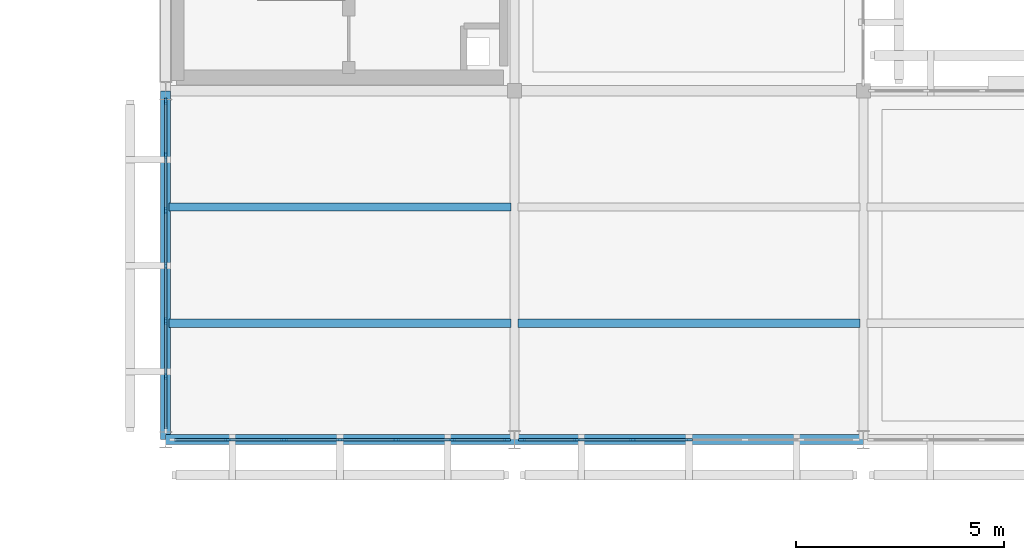
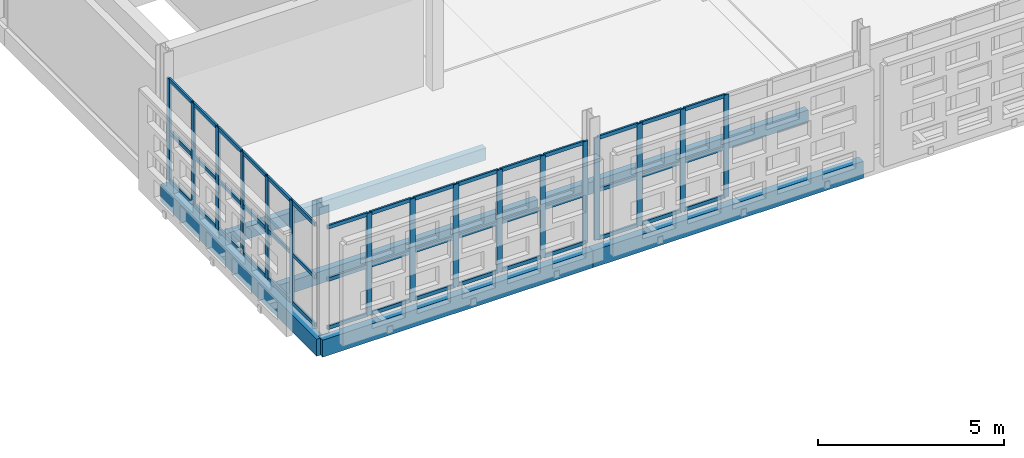
# One storey, part 43 of 140: 61 members, 6 beams, 3 elements without a shape of their own.
"""IFC4 building model written with IfcOpenShell, lengths in metres."""

import ifcopenshell
import ifcopenshell.guid

model = None  # the IFC model being written
_history = None  # IfcOwnerHistory: only IFC2X3 demands one
_inside = {}  # id of a spatial element -> (the spatial element, [elements in it])
_under = {}  # id of a project, library or spatial element -> (it, [spatial elements below it])
_declared = {}  # id of a project -> (the project, [libraries it declares])
_typed = {}  # id of a type object -> (the type object, [elements of that type])
_made_of = {}  # id of a material, layer set ... -> (it, [elements and type objects made of it])


def new_model(schema):
    """Start an empty IFC model of exactly this schema.

    Asked for "IFC4X3", IfcOpenShell would pick the latest addendum, in which some entities
    have other attributes; the version numbers below select the first issue.
    IFC2X3 requires an IfcOwnerHistory on every rooted entity: one is made here for all.
    """
    global model, _history
    if schema == "IFC4X3":
        model = ifcopenshell.file(schema_version=(4, 3, 0, 0))
    else:
        model = ifcopenshell.file(schema=schema)
    _inside.clear()
    _under.clear()
    _declared.clear()
    _typed.clear()
    _made_of.clear()
    _history = None
    if model.schema == "IFC2X3":
        org = make("IfcOrganization", Name="unknown")
        user = make(
            "IfcPersonAndOrganization",
            ThePerson=make("IfcPerson", FamilyName="unknown"),
            TheOrganization=org,
        )
        app = make(
            "IfcApplication",
            ApplicationDeveloper=org,
            Version="unknown",
            ApplicationFullName="unknown",
            ApplicationIdentifier="unknown",
        )
        _history = make(
            "IfcOwnerHistory",
            OwningUser=user,
            OwningApplication=app,
            ChangeAction="ADDED",
            CreationDate=0,
        )
    return model


def make(cls, **values):
    """One entity of the class cls with the attributes given. An attribute that is None is left unset."""
    return model.create_entity(
        cls, **{name: value for name, value in values.items() if value is not None}
    )


def rooted(cls, **values):
    """An entity with a GlobalId (a new one), such as an element, a storey or a relation."""
    return make(cls, GlobalId=ifcopenshell.guid.new(), OwnerHistory=_history, **values)


def si_unit(unit_type, name, prefix=None):
    """IfcSIUnit, for example si_unit("LENGTHUNIT", "METRE", prefix="MILLI")."""
    return make("IfcSIUnit", UnitType=unit_type, Prefix=prefix, Name=name)


def assignment(units):
    """IfcUnitAssignment: the units of a project."""
    return None if units is None else make("IfcUnitAssignment", Units=units)


def point(xyz):
    """IfcCartesianPoint."""
    return None if xyz is None else make("IfcCartesianPoint", Coordinates=xyz)


def direction(xyz):
    """IfcDirection."""
    return None if xyz is None else make("IfcDirection", DirectionRatios=xyz)


def frame(location, z_axis=None, x_axis=None):
    """IfcAxis2Placement3D, a coordinate frame: its origin and axes. An axis left out is left unset."""
    return make(
        "IfcAxis2Placement3D",
        Location=point(location),
        Axis=direction(z_axis),
        RefDirection=direction(x_axis),
    )


def frame_2d(location, x_axis=None):
    """IfcAxis2Placement2D, a coordinate frame in the plane: its origin and x axis."""
    return make(
        "IfcAxis2Placement2D", Location=point(location), RefDirection=direction(x_axis)
    )


def origin():
    """The frame at (0, 0, 0) with its axes left unset."""
    return frame((0.0, 0.0, 0.0))


def origin_2d():
    """The frame at (0, 0) in the plane with its x axis left unset."""
    return frame_2d((0.0, 0.0))


def place(relative_to, where):
    """IfcLocalPlacement: puts the frame where relative to a parent placement (None: the world)."""
    return make(
        "IfcLocalPlacement", PlacementRelTo=relative_to, RelativePlacement=where
    )


def context(
    kind, dimensions, precision=None, world=None, true_north=None, identifier=None
):
    """IfcGeometricRepresentationContext, for example the 3D "Model" context."""
    return make(
        "IfcGeometricRepresentationContext",
        ContextIdentifier=identifier,
        ContextType=kind,
        CoordinateSpaceDimension=dimensions,
        Precision=precision,
        WorldCoordinateSystem=world,
        TrueNorth=true_north,
    )


def subcontext(parent, identifier, kind, view, scale=None):
    """IfcGeometricRepresentationSubContext, for example "Body" below "Model"."""
    return make(
        "IfcGeometricRepresentationSubContext",
        ContextIdentifier=identifier,
        ContextType=kind,
        ParentContext=parent,
        TargetScale=scale,
        TargetView=view,
    )


def project(units=None, contexts=None):
    """IfcProject with its units and contexts."""
    return rooted(
        "IfcProject",
        Name="project",
        RepresentationContexts=contexts,
        UnitsInContext=assignment(units),
    )


def spatial(cls, under=None, at=None, **own):
    """A site, building, storey or space (cls), placed at a placement, below another one or the project."""
    s = rooted(cls, ObjectPlacement=at, **own)
    if under is not None:
        _under.setdefault(under.id(), (under, []))[1].append(s)
    return s


def profile(cls, at=None, kind="AREA", **sizes):
    """A parametric profile (cls). Its sizes go by their IFC names, for example OverallWidth=200.0."""
    return make(cls, ProfileType=kind, Position=at, **sizes)


def rectangle(**sizes):
    """IfcRectangleProfileDef."""
    return profile("IfcRectangleProfileDef", **sizes)


def extrude(swept, where, along, depth):
    """IfcExtrudedAreaSolid: the profile swept, set in the frame where, extruded along a direction by depth."""
    return make(
        "IfcExtrudedAreaSolid",
        SweptArea=swept,
        Position=where,
        ExtrudedDirection=direction(along),
        Depth=depth,
    )


def shape(context_of_items, identifier, shape_type, items):
    """IfcShapeRepresentation: the items that make up one representation, for example the "Body"."""
    return make(
        "IfcShapeRepresentation",
        ContextOfItems=context_of_items,
        RepresentationIdentifier=identifier,
        RepresentationType=shape_type,
        Items=items,
    )


def material(Name=None, Category=None):
    """IfcMaterial."""
    return make("IfcMaterial", Name=Name, Category=Category)


def layer(
    of_material, thickness, ventilated=None, Name=None, Category=None, Priority=None
):
    """IfcMaterialLayer: one layer of a wall or slab, of a material (None: an air gap)."""
    return make(
        "IfcMaterialLayer",
        Material=of_material,
        LayerThickness=thickness,
        IsVentilated=ventilated,
        Name=Name,
        Category=Category,
        Priority=Priority,
    )


def layer_set(layers, Name=None):
    """IfcMaterialLayerSet."""
    return make("IfcMaterialLayerSet", MaterialLayers=layers, LayerSetName=Name)


def material_profile(
    of_material, cross_section, Name=None, Category=None, Priority=None
):
    """IfcMaterialProfile: a cross section and its material."""
    return make(
        "IfcMaterialProfile",
        Name=Name,
        Material=of_material,
        Profile=cross_section,
        Priority=Priority,
        Category=Category,
    )


def profile_set(profiles, Name=None, composite=None):
    """IfcMaterialProfileSet."""
    return make(
        "IfcMaterialProfileSet",
        Name=Name,
        MaterialProfiles=profiles,
        CompositeProfile=composite,
    )


def made_of(thing, what):
    """Note that an element or type object is made of a material, layer set ...; save() writes the relation."""
    if what is not None:
        _made_of.setdefault(what.id(), (what, []))[1].append(thing)
    return thing


def type_object(cls, material=None, **own):
    """A type object (cls), such as IfcWallType, which elements share."""
    return made_of(rooted(cls, **own), material)


def element(
    cls,
    number,
    at=None,
    inside=None,
    cuts=None,
    type_object=None,
    material=None,
    context=None,
    identifier="Body",
    shape_type=None,
    held_by="IfcProductDefinitionShape",
    body=None,
    shapes=None,
    **own,
):
    """One element of the class cls, such as IfcWall. Its Tag is "e" and its number.

    at: its placement. inside: the storey or other place that contains it. cuts: it is an
    opening in that element (IfcRelVoidsElement). A single representation is given by context,
    identifier, shape_type and body (its items); several are given by shapes. held_by: the class
    of the entity that holds the representations. save() writes the other relations.
    """
    e = rooted(cls, Tag="e%d" % number, ObjectPlacement=at, **own)
    if body is not None:
        shapes = [shape(context, identifier, shape_type, body)]
    if shapes is not None:
        e.Representation = make(held_by, Representations=shapes)
    if inside is not None:
        _inside.setdefault(inside.id(), (inside, []))[1].append(e)
    if cuts is not None:
        rooted(
            "IfcRelVoidsElement", RelatingBuildingElement=cuts, RelatedOpeningElement=e
        )
    if type_object is not None:
        _typed.setdefault(type_object.id(), (type_object, []))[1].append(e)
    return made_of(e, material)


def aggregate(whole, parts):
    """IfcRelAggregates: a whole, such as a stair, and the parts it consists of."""
    return rooted("IfcRelAggregates", RelatingObject=whole, RelatedObjects=parts)


def save(model, path):
    """Write the relations noted so far, then the file.

    IfcRelAggregates (storeys below a building ...), IfcRelContainedInSpatialStructure (elements
    in a storey), IfcRelDefinesByType, IfcRelAssociatesMaterial and IfcRelDeclares: one each for
    every whole, place, type object, material and project.
    """
    for whole, parts in _under.values():
        aggregate(whole, parts)
    for where, things in _inside.values():
        rooted(
            "IfcRelContainedInSpatialStructure",
            RelatedElements=things,
            RelatingStructure=where,
        )
    for kind, things in _typed.values():
        rooted("IfcRelDefinesByType", RelatedObjects=things, RelatingType=kind)
    for what, things in _made_of.values():
        rooted("IfcRelAssociatesMaterial", RelatedObjects=things, RelatingMaterial=what)
    for by, libraries in _declared.values():
        rooted("IfcRelDeclares", RelatingContext=by, RelatedDefinitions=libraries)
    model.write(path)


model = new_model("IFC4")

# Units and contexts
model_context = context("Model", 3, precision=1e-05, world=origin(), true_north=direction((0.0, 1.0)))
body_context = subcontext(model_context, "Body", "Model", "MODEL_VIEW")
ifc_project = project(units=[si_unit("LENGTHUNIT", "METRE"), si_unit("AREAUNIT", "SQUARE_METRE"), si_unit("VOLUMEUNIT", "CUBIC_METRE"), si_unit("PLANEANGLEUNIT", "RADIAN"), si_unit("MASSUNIT", "GRAM", prefix="KILO")], contexts=[model_context])

# Site, building, storey
site_placement = place(None, origin())
site = spatial("IfcSite", under=ifc_project, at=site_placement, CompositionType="ELEMENT")
building_placement = place(site_placement, origin())
building = spatial("IfcBuilding", under=site, at=building_placement, Name="Varnapada Polytechnic", CompositionType="ELEMENT")
storey_placement = place(building_placement, frame((0.0, 0.0, 13.800048828125)))
storey = spatial("IfcBuildingStorey", under=building, at=storey_placement, Name="L03", CompositionType="ELEMENT", Elevation=13.800048828125)

# Beams
ifc_material_1 = material(Name="Glulam GL32h", Category="wood")
ifc_material_profile_1 = material_profile(ifc_material_1, rectangle(XDim=0.199951171875, YDim=0.39990234375, at=origin_2d()), Name="GL 200x400")
ifc_profile_set_1 = profile_set([ifc_material_profile_1], Name="Glulam GL32h")
beam_type_1 = type_object("IfcBeamType", Name="Library/laboratory glulam floor joist GJ-01 (GL 200x400)", PredefinedType="JOIST", material=ifc_profile_set_1)
for number, where, z_axis, x_axis, name in (
    (1, (50.47998046875, 86.800048828125, -0.43994140625), (1.0, 0.0, 0.0), (0.0, 1.0, 0.0), "L03 floor joist 7/11.1"),
    (2, (50.47998046875, 89.60009765625, -0.43994140625), (1.0, 0.0, 0.0), (0.0, 1.0, 0.0), "L03 floor joist 7/11.2"),
):
    element("IfcBeam", number, at=place(storey_placement, frame(where, z_axis=z_axis, x_axis=x_axis)), inside=storey, type_object=beam_type_1, Name=name, PredefinedType="JOIST", context=body_context, shape_type="SweptSolid", body=[
        extrude(rectangle(XDim=0.199951171875, YDim=0.39990234375, at=origin_2d()), origin(), (0.0, 0.0, 1.0), 8.239990234375),
    ])
beam_1_placement = place(storey_placement, frame((58.8798828125, 86.800048828125, -0.43994140625), z_axis=(1.0, 0.0, 0.0), x_axis=(0.0, 1.0, 0.0)))
element("IfcBeam", 3, at=beam_1_placement, inside=storey, type_object=beam_type_1, Name="L03 floor joist 8/11.1", PredefinedType="JOIST", context=body_context, shape_type="SweptSolid", body=[
    extrude(rectangle(XDim=0.199951171875, YDim=0.39990234375, at=origin_2d()), origin(), (0.0, 0.0, 1.0), 8.240234375),
])

# Curtain wall, members
ifc_material_2 = material(Name="Double low-E laminated glass", Category="glass")
ifc_layer_1 = layer(ifc_material_2, 0.159912109375)
ifc_layer_set_1 = layer_set([ifc_layer_1], Name="Double low-E laminated glass")
curtain_wall_type_1 = type_object("IfcCurtainWallType", Name="Curtain Wall CW-01", PredefinedType="NOTDEFINED", material=ifc_layer_set_1)
curtain_wall_1_placement = place(storey_placement, origin())
curtain_wall_1 = element("IfcCurtainWall", 4, at=curtain_wall_1_placement, inside=storey, type_object=curtain_wall_type_1, Name="L03 unitised curtain wall CW-01 (225)", PredefinedType="NOTDEFINED")
ifc_material_3 = material(Name="Anodised aluminium", Category="aluminium")
ifc_material_profile_2 = material_profile(ifc_material_3, rectangle(XDim=0.06005859375, YDim=0.159912109375, at=origin_2d()), Name="ALU M60x160")
ifc_profile_set_2 = profile_set([ifc_material_profile_2], Name="Anodised aluminium")
member_type_1 = type_object("IfcMemberType", Name="Mullion M-01", PredefinedType="MULLION", material=ifc_profile_set_2)
member_1_placement = place(storey_placement, frame((58.6201171875, 84.0, 0.0), z_axis=(0.0, 0.0, 1.0), x_axis=(0.0, -1.0, 0.0)))
member_1 = element("IfcMember", 5, at=member_1_placement, type_object=member_type_1, Name="CW-01 mullion 1", PredefinedType="MULLION", context=body_context, shape_type="SweptSolid", body=[
    extrude(rectangle(XDim=0.06005859375, YDim=0.159912109375, at=origin_2d()), origin(), (0.0, 0.0, 1.0), 3.35986328125),
])
member_2_placement = place(storey_placement, frame((57.300048828125, 84.0, 0.0), z_axis=(0.0, 0.0, 1.0), x_axis=(0.0, -1.0, 0.0)))
member_2 = element("IfcMember", 6, at=member_2_placement, type_object=member_type_1, Name="CW-01 mullion 2", PredefinedType="MULLION", context=body_context, shape_type="SweptSolid", body=[
    extrude(rectangle(XDim=0.06005859375, YDim=0.159912109375, at=origin_2d()), origin(), (0.0, 0.0, 1.0), 3.35986328125),
])
member_3_placement = place(storey_placement, frame((55.949951171875, 84.0, 0.0), z_axis=(0.0, 0.0, 1.0), x_axis=(0.0, -1.0, 0.0)))
member_3 = element("IfcMember", 7, at=member_3_placement, type_object=member_type_1, Name="CW-01 mullion 3", PredefinedType="MULLION", context=body_context, shape_type="SweptSolid", body=[
    extrude(rectangle(XDim=0.06005859375, YDim=0.159912109375, at=origin_2d()), origin(), (0.0, 0.0, 1.0), 3.35986328125),
])
member_4_placement = place(storey_placement, frame((54.60009765625, 84.0, 0.0), z_axis=(0.0, 0.0, 1.0), x_axis=(0.0, -1.0, 0.0)))
member_4 = element("IfcMember", 8, at=member_4_placement, type_object=member_type_1, Name="CW-01 mullion 4", PredefinedType="MULLION", context=body_context, shape_type="SweptSolid", body=[
    extrude(rectangle(XDim=0.06005859375, YDim=0.159912109375, at=origin_2d()), origin(), (0.0, 0.0, 1.0), 3.35986328125),
])
member_5_placement = place(storey_placement, frame((53.25, 84.0, 0.0), z_axis=(0.0, 0.0, 1.0), x_axis=(0.0, -1.0, 0.0)))
member_5 = element("IfcMember", 9, at=member_5_placement, type_object=member_type_1, Name="CW-01 mullion 5", PredefinedType="MULLION", context=body_context, shape_type="SweptSolid", body=[
    extrude(rectangle(XDim=0.06005859375, YDim=0.159912109375, at=origin_2d()), origin(), (0.0, 0.0, 1.0), 3.35986328125),
])
member_6_placement = place(storey_placement, frame((51.89990234375, 84.0, 0.0), z_axis=(0.0, 0.0, 1.0), x_axis=(0.0, -1.0, 0.0)))
member_6 = element("IfcMember", 10, at=member_6_placement, type_object=member_type_1, Name="CW-01 mullion 6", PredefinedType="MULLION", context=body_context, shape_type="SweptSolid", body=[
    extrude(rectangle(XDim=0.06005859375, YDim=0.159912109375, at=origin_2d()), origin(), (0.0, 0.0, 1.0), 3.35986328125),
])

ifc_layer_2 = layer(ifc_material_2, 0.159912109375)
ifc_layer_set_2 = layer_set([ifc_layer_2], Name="Double low-E laminated glass")
curtain_wall_type_2 = type_object("IfcCurtainWallType", Name="Curtain Wall CW-02", PredefinedType="NOTDEFINED", material=ifc_layer_set_2)
curtain_wall_2_placement = place(storey_placement, origin())
curtain_wall_2 = element("IfcCurtainWall", 11, at=curtain_wall_2_placement, inside=storey, type_object=curtain_wall_type_2, Name="L03 unitised curtain wall CW-02 (226)", PredefinedType="NOTDEFINED")
member_7_placement = place(storey_placement, frame((50.39990234375, 85.529052734375, 0.0), z_axis=(0.0, 0.0, 1.0), x_axis=(-1.0, 0.0, 0.0)))
member_7 = element("IfcMember", 12, at=member_7_placement, type_object=member_type_1, Name="CW-02 mullion 2", PredefinedType="MULLION", context=body_context, shape_type="SweptSolid", body=[
    extrude(rectangle(XDim=0.06005859375, YDim=0.159912109375, at=origin_2d()), origin(), (0.0, 0.0, 1.0), 3.35986328125),
])
member_8_placement = place(storey_placement, frame((50.39990234375, 86.8583984375, 0.0), z_axis=(0.0, 0.0, 1.0), x_axis=(-1.0, 0.0, 0.0)))
member_8 = element("IfcMember", 13, at=member_8_placement, type_object=member_type_1, Name="CW-02 mullion 3", PredefinedType="MULLION", context=body_context, shape_type="SweptSolid", body=[
    extrude(rectangle(XDim=0.06005859375, YDim=0.159912109375, at=origin_2d()), origin(), (0.0, 0.0, 1.0), 3.35986328125),
])
member_9_placement = place(storey_placement, frame((50.39990234375, 88.1875, 0.0), z_axis=(0.0, 0.0, 1.0), x_axis=(-1.0, 0.0, 0.0)))
member_9 = element("IfcMember", 14, at=member_9_placement, type_object=member_type_1, Name="CW-02 mullion 4", PredefinedType="MULLION", context=body_context, shape_type="SweptSolid", body=[
    extrude(rectangle(XDim=0.06005859375, YDim=0.159912109375, at=origin_2d()), origin(), (0.0, 0.0, 1.0), 3.35986328125),
])
member_10_placement = place(storey_placement, frame((50.39990234375, 89.5166015625, 0.0), z_axis=(0.0, 0.0, 1.0), x_axis=(-1.0, 0.0, 0.0)))
member_10 = element("IfcMember", 15, at=member_10_placement, type_object=member_type_1, Name="CW-02 mullion 5", PredefinedType="MULLION", context=body_context, shape_type="SweptSolid", body=[
    extrude(rectangle(XDim=0.06005859375, YDim=0.159912109375, at=origin_2d()), origin(), (0.0, 0.0, 1.0), 3.35986328125),
])
member_11_placement = place(storey_placement, frame((50.39990234375, 90.845947265625, 0.0), z_axis=(0.0, 0.0, 1.0), x_axis=(-1.0, 0.0, 0.0)))
member_11 = element("IfcMember", 16, at=member_11_placement, type_object=member_type_1, Name="CW-02 mullion 6", PredefinedType="MULLION", context=body_context, shape_type="SweptSolid", body=[
    extrude(rectangle(XDim=0.06005859375, YDim=0.159912109375, at=origin_2d()), origin(), (0.0, 0.0, 1.0), 3.35986328125),
])
member_12_placement = place(storey_placement, frame((50.39990234375, 92.14501953125, 0.0), z_axis=(0.0, 0.0, 1.0), x_axis=(-1.0, 0.0, 0.0)))
member_12 = element("IfcMember", 17, at=member_12_placement, type_object=member_type_1, Name="CW-02 mullion 7", PredefinedType="MULLION", context=body_context, shape_type="SweptSolid", body=[
    extrude(rectangle(XDim=0.06005859375, YDim=0.159912109375, at=origin_2d()), origin(), (0.0, 0.0, 1.0), 3.35986328125),
])

curtain_wall_3_placement = place(storey_placement, origin())
curtain_wall_3 = element("IfcCurtainWall", 18, at=curtain_wall_3_placement, inside=storey, type_object=curtain_wall_type_1, Name="L03 unitised curtain wall CW-01 (229)", PredefinedType="NOTDEFINED")
member_13_placement = place(storey_placement, frame((63.0, 84.0, 0.0), z_axis=(0.0, 0.0, 1.0), x_axis=(0.0, -1.0, 0.0)))
member_13 = element("IfcMember", 19, at=member_13_placement, type_object=member_type_1, Name="CW-01 mullion 4", PredefinedType="MULLION", context=body_context, shape_type="SweptSolid", body=[
    extrude(rectangle(XDim=0.06005859375, YDim=0.159912109375, at=origin_2d()), origin(), (0.0, 0.0, 1.0), 3.35986328125),
])
member_14_placement = place(storey_placement, frame((61.64990234375, 84.0, 0.0), z_axis=(0.0, 0.0, 1.0), x_axis=(0.0, -1.0, 0.0)))
member_14 = element("IfcMember", 20, at=member_14_placement, type_object=member_type_1, Name="CW-01 mullion 5", PredefinedType="MULLION", context=body_context, shape_type="SweptSolid", body=[
    extrude(rectangle(XDim=0.06005859375, YDim=0.159912109375, at=origin_2d()), origin(), (0.0, 0.0, 1.0), 3.35986328125),
])
member_15_placement = place(storey_placement, frame((60.300048828125, 84.0, 0.0), z_axis=(0.0, 0.0, 1.0), x_axis=(0.0, -1.0, 0.0)))
member_15 = element("IfcMember", 21, at=member_15_placement, type_object=member_type_1, Name="CW-01 mullion 6", PredefinedType="MULLION", context=body_context, shape_type="SweptSolid", body=[
    extrude(rectangle(XDim=0.06005859375, YDim=0.159912109375, at=origin_2d()), origin(), (0.0, 0.0, 1.0), 3.35986328125),
])
member_16_placement = place(storey_placement, frame((58.97998046875, 84.0, 0.0), z_axis=(0.0, 0.0, 1.0), x_axis=(0.0, -1.0, 0.0)))
member_16 = element("IfcMember", 22, at=member_16_placement, type_object=member_type_1, Name="CW-01 mullion 7", PredefinedType="MULLION", context=body_context, shape_type="SweptSolid", body=[
    extrude(rectangle(XDim=0.06005859375, YDim=0.159912109375, at=origin_2d()), origin(), (0.0, 0.0, 1.0), 3.35986328125),
])

# Beams
ifc_material_profile_3 = material_profile(ifc_material_1, rectangle(XDim=0.239990234375, YDim=0.56005859375, at=origin_2d()), Name="GL 240x560")
ifc_profile_set_3 = profile_set([ifc_material_profile_3], Name="Glulam GL32h")
beam_type_2 = type_object("IfcBeamType", Name="Perimeter glulam spandrel beam SP-02 (GL 240x560)", PredefinedType="SPANDREL", material=ifc_profile_set_3)
beam_2_placement = place(storey_placement, frame((50.39990234375, 84.0, -0.52001953125), z_axis=(1.0, 0.0, 0.0), x_axis=(0.0, 1.0, 0.0)))
element("IfcBeam", 23, at=beam_2_placement, inside=storey, type_object=beam_type_2, Name="L03 beam X 7-8 at Y11", PredefinedType="SPANDREL", context=body_context, shape_type="SweptSolid", body=[
    extrude(rectangle(XDim=0.239990234375, YDim=0.56005859375, at=origin_2d()), origin(), (0.0, 0.0, 1.0), 8.400146484375),
])
for number, where, z_axis, x_axis, name in (
    (24, (58.800048828125, 84.0, -0.52001953125), (1.0, 0.0, 0.0), (0.0, 1.0, 0.0), "L03 beam X 8-9 at Y11"),
    (25, (50.39990234375, 84.0, -0.52001953125), (0.0, 1.0, 0.0), (-1.0, 0.0, 0.0), "L03 beam Y 11-12 at X7"),
):
    element("IfcBeam", number, at=place(storey_placement, frame(where, z_axis=z_axis, x_axis=x_axis)), inside=storey, type_object=beam_type_2, Name=name, PredefinedType="SPANDREL", context=body_context, shape_type="SweptSolid", body=[
        extrude(rectangle(XDim=0.239990234375, YDim=0.56005859375, at=origin_2d()), origin(), (0.0, 0.0, 1.0), 8.39990234375),
    ])

# Member
ifc_material_profile_4 = material_profile(ifc_material_3, rectangle(XDim=0.06005859375, YDim=0.1201171875, at=origin_2d()), Name="ALU T60x120")
ifc_profile_set_4 = profile_set([ifc_material_profile_4], Name="Anodised aluminium")
member_type_2 = type_object("IfcMemberType", Name="Transom T-01", PredefinedType="USERDEFINED", material=ifc_profile_set_4)
member_17_placement = place(storey_placement, frame((58.590087890625, 84.0, 0.030029296875), z_axis=(-1.0, 0.0, 0.0), x_axis=(0.0, -1.0, 0.0)))
member_17 = element("IfcMember", 26, at=member_17_placement, type_object=member_type_2, Name="CW-01 transom 1.1", ObjectType="TRANSOM", PredefinedType="USERDEFINED", context=body_context, shape_type="SweptSolid", body=[
    extrude(rectangle(XDim=0.06005859375, YDim=0.1201171875, at=origin_2d()), origin(), (0.0, 0.0, 1.0), 1.260009765625),
])

member_18_placement = place(storey_placement, frame((58.590087890625, 84.0, 1.61279296875), z_axis=(-1.0, 0.0, 0.0), x_axis=(0.0, -1.0, 0.0)))
member_18 = element("IfcMember", 27, at=member_18_placement, type_object=member_type_2, Name="CW-01 transom 1.2", ObjectType="TRANSOM", PredefinedType="USERDEFINED", context=body_context, shape_type="SweptSolid", body=[
    extrude(rectangle(XDim=0.06005859375, YDim=0.1201171875, at=origin_2d()), origin(), (0.0, 0.0, 1.0), 1.260009765625),
])

member_19_placement = place(storey_placement, frame((58.590087890625, 84.0, 3.329833984375), z_axis=(-1.0, 0.0, 0.0), x_axis=(0.0, -1.0, 0.0)))
member_19 = element("IfcMember", 28, at=member_19_placement, type_object=member_type_2, Name="CW-01 transom 1.3", ObjectType="TRANSOM", PredefinedType="USERDEFINED", context=body_context, shape_type="SweptSolid", body=[
    extrude(rectangle(XDim=0.06005859375, YDim=0.1201171875, at=origin_2d()), origin(), (0.0, 0.0, 1.0), 1.260009765625),
])

member_20_placement = place(storey_placement, frame((57.27001953125, 84.0, 0.030029296875), z_axis=(-1.0, 0.0, 0.0), x_axis=(0.0, -1.0, 0.0)))
member_20 = element("IfcMember", 29, at=member_20_placement, type_object=member_type_2, Name="CW-01 transom 2.1", ObjectType="TRANSOM", PredefinedType="USERDEFINED", context=body_context, shape_type="SweptSolid", body=[
    extrude(rectangle(XDim=0.06005859375, YDim=0.1201171875, at=origin_2d()), origin(), (0.0, 0.0, 1.0), 1.2900390625),
])

member_21_placement = place(storey_placement, frame((57.27001953125, 84.0, 1.61279296875), z_axis=(-1.0, 0.0, 0.0), x_axis=(0.0, -1.0, 0.0)))
member_21 = element("IfcMember", 30, at=member_21_placement, type_object=member_type_2, Name="CW-01 transom 2.2", ObjectType="TRANSOM", PredefinedType="USERDEFINED", context=body_context, shape_type="SweptSolid", body=[
    extrude(rectangle(XDim=0.06005859375, YDim=0.1201171875, at=origin_2d()), origin(), (0.0, 0.0, 1.0), 1.2900390625),
])

member_22_placement = place(storey_placement, frame((57.27001953125, 84.0, 3.329833984375), z_axis=(-1.0, 0.0, 0.0), x_axis=(0.0, -1.0, 0.0)))
member_22 = element("IfcMember", 31, at=member_22_placement, type_object=member_type_2, Name="CW-01 transom 2.3", ObjectType="TRANSOM", PredefinedType="USERDEFINED", context=body_context, shape_type="SweptSolid", body=[
    extrude(rectangle(XDim=0.06005859375, YDim=0.1201171875, at=origin_2d()), origin(), (0.0, 0.0, 1.0), 1.2900390625),
])

member_23_placement = place(storey_placement, frame((55.919921875, 84.0, 0.030029296875), z_axis=(-1.0, 0.0, 0.0), x_axis=(0.0, -1.0, 0.0)))
member_23 = element("IfcMember", 32, at=member_23_placement, type_object=member_type_2, Name="CW-01 transom 3.1", ObjectType="TRANSOM", PredefinedType="USERDEFINED", context=body_context, shape_type="SweptSolid", body=[
    extrude(rectangle(XDim=0.06005859375, YDim=0.1201171875, at=origin_2d()), origin(), (0.0, 0.0, 1.0), 1.2900390625),
])

member_24_placement = place(storey_placement, frame((55.919921875, 84.0, 1.61279296875), z_axis=(-1.0, 0.0, 0.0), x_axis=(0.0, -1.0, 0.0)))
member_24 = element("IfcMember", 33, at=member_24_placement, type_object=member_type_2, Name="CW-01 transom 3.2", ObjectType="TRANSOM", PredefinedType="USERDEFINED", context=body_context, shape_type="SweptSolid", body=[
    extrude(rectangle(XDim=0.06005859375, YDim=0.1201171875, at=origin_2d()), origin(), (0.0, 0.0, 1.0), 1.2900390625),
])

member_25_placement = place(storey_placement, frame((55.919921875, 84.0, 3.329833984375), z_axis=(-1.0, 0.0, 0.0), x_axis=(0.0, -1.0, 0.0)))
member_25 = element("IfcMember", 34, at=member_25_placement, type_object=member_type_2, Name="CW-01 transom 3.3", ObjectType="TRANSOM", PredefinedType="USERDEFINED", context=body_context, shape_type="SweptSolid", body=[
    extrude(rectangle(XDim=0.06005859375, YDim=0.1201171875, at=origin_2d()), origin(), (0.0, 0.0, 1.0), 1.2900390625),
])

member_26_placement = place(storey_placement, frame((54.570068359375, 84.0, 0.030029296875), z_axis=(-1.0, 0.0, 0.0), x_axis=(0.0, -1.0, 0.0)))
member_26 = element("IfcMember", 35, at=member_26_placement, type_object=member_type_2, Name="CW-01 transom 4.1", ObjectType="TRANSOM", PredefinedType="USERDEFINED", context=body_context, shape_type="SweptSolid", body=[
    extrude(rectangle(XDim=0.06005859375, YDim=0.1201171875, at=origin_2d()), origin(), (0.0, 0.0, 1.0), 1.2900390625),
])

member_27_placement = place(storey_placement, frame((54.570068359375, 84.0, 1.61279296875), z_axis=(-1.0, 0.0, 0.0), x_axis=(0.0, -1.0, 0.0)))
member_27 = element("IfcMember", 36, at=member_27_placement, type_object=member_type_2, Name="CW-01 transom 4.2", ObjectType="TRANSOM", PredefinedType="USERDEFINED", context=body_context, shape_type="SweptSolid", body=[
    extrude(rectangle(XDim=0.06005859375, YDim=0.1201171875, at=origin_2d()), origin(), (0.0, 0.0, 1.0), 1.2900390625),
])

member_28_placement = place(storey_placement, frame((54.570068359375, 84.0, 3.329833984375), z_axis=(-1.0, 0.0, 0.0), x_axis=(0.0, -1.0, 0.0)))
member_28 = element("IfcMember", 37, at=member_28_placement, type_object=member_type_2, Name="CW-01 transom 4.3", ObjectType="TRANSOM", PredefinedType="USERDEFINED", context=body_context, shape_type="SweptSolid", body=[
    extrude(rectangle(XDim=0.06005859375, YDim=0.1201171875, at=origin_2d()), origin(), (0.0, 0.0, 1.0), 1.2900390625),
])

member_29_placement = place(storey_placement, frame((53.219970703125, 84.0, 0.030029296875), z_axis=(-1.0, 0.0, 0.0), x_axis=(0.0, -1.0, 0.0)))
member_29 = element("IfcMember", 38, at=member_29_placement, type_object=member_type_2, Name="CW-01 transom 5.1", ObjectType="TRANSOM", PredefinedType="USERDEFINED", context=body_context, shape_type="SweptSolid", body=[
    extrude(rectangle(XDim=0.06005859375, YDim=0.1201171875, at=origin_2d()), origin(), (0.0, 0.0, 1.0), 1.2900390625),
])

member_30_placement = place(storey_placement, frame((53.219970703125, 84.0, 1.61279296875), z_axis=(-1.0, 0.0, 0.0), x_axis=(0.0, -1.0, 0.0)))
member_30 = element("IfcMember", 39, at=member_30_placement, type_object=member_type_2, Name="CW-01 transom 5.2", ObjectType="TRANSOM", PredefinedType="USERDEFINED", context=body_context, shape_type="SweptSolid", body=[
    extrude(rectangle(XDim=0.06005859375, YDim=0.1201171875, at=origin_2d()), origin(), (0.0, 0.0, 1.0), 1.2900390625),
])

member_31_placement = place(storey_placement, frame((53.219970703125, 84.0, 3.329833984375), z_axis=(-1.0, 0.0, 0.0), x_axis=(0.0, -1.0, 0.0)))
member_31 = element("IfcMember", 40, at=member_31_placement, type_object=member_type_2, Name="CW-01 transom 5.3", ObjectType="TRANSOM", PredefinedType="USERDEFINED", context=body_context, shape_type="SweptSolid", body=[
    extrude(rectangle(XDim=0.06005859375, YDim=0.1201171875, at=origin_2d()), origin(), (0.0, 0.0, 1.0), 1.2900390625),
])

member_32_placement = place(storey_placement, frame((51.8701171875, 84.0, 0.030029296875), z_axis=(-1.0, 0.0, 0.0), x_axis=(0.0, -1.0, 0.0)))
member_32 = element("IfcMember", 41, at=member_32_placement, type_object=member_type_2, Name="CW-01 transom 6.1", ObjectType="TRANSOM", PredefinedType="USERDEFINED", context=body_context, shape_type="SweptSolid", body=[
    extrude(rectangle(XDim=0.06005859375, YDim=0.1201171875, at=origin_2d()), origin(), (0.0, 0.0, 1.0), 1.260009765625),
])

member_33_placement = place(storey_placement, frame((51.8701171875, 84.0, 1.61279296875), z_axis=(-1.0, 0.0, 0.0), x_axis=(0.0, -1.0, 0.0)))
member_33 = element("IfcMember", 42, at=member_33_placement, type_object=member_type_2, Name="CW-01 transom 6.2", ObjectType="TRANSOM", PredefinedType="USERDEFINED", context=body_context, shape_type="SweptSolid", body=[
    extrude(rectangle(XDim=0.06005859375, YDim=0.1201171875, at=origin_2d()), origin(), (0.0, 0.0, 1.0), 1.260009765625),
])

member_34_placement = place(storey_placement, frame((51.8701171875, 84.0, 3.329833984375), z_axis=(-1.0, 0.0, 0.0), x_axis=(0.0, -1.0, 0.0)))
member_34 = element("IfcMember", 43, at=member_34_placement, type_object=member_type_2, Name="CW-01 transom 6.3", ObjectType="TRANSOM", PredefinedType="USERDEFINED", context=body_context, shape_type="SweptSolid", body=[
    extrude(rectangle(XDim=0.06005859375, YDim=0.1201171875, at=origin_2d()), origin(), (0.0, 0.0, 1.0), 1.260009765625),
])

aggregate(curtain_wall_1, [member_1, member_2, member_3, member_4, member_5, member_6, member_17, member_18, member_19, member_20, member_21, member_22, member_23, member_24, member_25, member_26, member_27, member_28, member_29, member_30, member_31, member_32, member_33, member_34])

member_35_placement = place(storey_placement, frame((50.39990234375, 84.260009765625, 0.030029296875), z_axis=(0.0, 1.0, 0.0), x_axis=(-1.0, 0.0, 0.0)))
member_35 = element("IfcMember", 44, at=member_35_placement, type_object=member_type_2, Name="CW-02 transom 1.1", ObjectType="TRANSOM", PredefinedType="USERDEFINED", context=body_context, shape_type="SweptSolid", body=[
    extrude(rectangle(XDim=0.06005859375, YDim=0.1201171875, at=origin_2d()), origin(), (0.0, 0.0, 1.0), 1.2392578125),
])

member_36_placement = place(storey_placement, frame((50.39990234375, 84.260009765625, 1.61279296875), z_axis=(0.0, 1.0, 0.0), x_axis=(-1.0, 0.0, 0.0)))
member_36 = element("IfcMember", 45, at=member_36_placement, type_object=member_type_2, Name="CW-02 transom 1.2", ObjectType="TRANSOM", PredefinedType="USERDEFINED", context=body_context, shape_type="SweptSolid", body=[
    extrude(rectangle(XDim=0.06005859375, YDim=0.1201171875, at=origin_2d()), origin(), (0.0, 0.0, 1.0), 1.2392578125),
])

member_37_placement = place(storey_placement, frame((50.39990234375, 84.260009765625, 3.329833984375), z_axis=(0.0, 1.0, 0.0), x_axis=(-1.0, 0.0, 0.0)))
member_37 = element("IfcMember", 46, at=member_37_placement, type_object=member_type_2, Name="CW-02 transom 1.3", ObjectType="TRANSOM", PredefinedType="USERDEFINED", context=body_context, shape_type="SweptSolid", body=[
    extrude(rectangle(XDim=0.06005859375, YDim=0.1201171875, at=origin_2d()), origin(), (0.0, 0.0, 1.0), 1.2392578125),
])

member_38_placement = place(storey_placement, frame((50.39990234375, 85.55908203125, 0.030029296875), z_axis=(0.0, 1.0, 0.0), x_axis=(-1.0, 0.0, 0.0)))
member_38 = element("IfcMember", 47, at=member_38_placement, type_object=member_type_2, Name="CW-02 transom 2.1", ObjectType="TRANSOM", PredefinedType="USERDEFINED", context=body_context, shape_type="SweptSolid", body=[
    extrude(rectangle(XDim=0.06005859375, YDim=0.1201171875, at=origin_2d()), origin(), (0.0, 0.0, 1.0), 1.269287109375),
])

member_39_placement = place(storey_placement, frame((50.39990234375, 85.55908203125, 1.61279296875), z_axis=(0.0, 1.0, 0.0), x_axis=(-1.0, 0.0, 0.0)))
member_39 = element("IfcMember", 48, at=member_39_placement, type_object=member_type_2, Name="CW-02 transom 2.2", ObjectType="TRANSOM", PredefinedType="USERDEFINED", context=body_context, shape_type="SweptSolid", body=[
    extrude(rectangle(XDim=0.06005859375, YDim=0.1201171875, at=origin_2d()), origin(), (0.0, 0.0, 1.0), 1.269287109375),
])

member_40_placement = place(storey_placement, frame((50.39990234375, 85.55908203125, 3.329833984375), z_axis=(0.0, 1.0, 0.0), x_axis=(-1.0, 0.0, 0.0)))
member_40 = element("IfcMember", 49, at=member_40_placement, type_object=member_type_2, Name="CW-02 transom 2.3", ObjectType="TRANSOM", PredefinedType="USERDEFINED", context=body_context, shape_type="SweptSolid", body=[
    extrude(rectangle(XDim=0.06005859375, YDim=0.1201171875, at=origin_2d()), origin(), (0.0, 0.0, 1.0), 1.269287109375),
])

member_41_placement = place(storey_placement, frame((50.39990234375, 86.888427734375, 0.030029296875), z_axis=(0.0, 1.0, 0.0), x_axis=(-1.0, 0.0, 0.0)))
member_41 = element("IfcMember", 50, at=member_41_placement, type_object=member_type_2, Name="CW-02 transom 3.1", ObjectType="TRANSOM", PredefinedType="USERDEFINED", context=body_context, shape_type="SweptSolid", body=[
    extrude(rectangle(XDim=0.06005859375, YDim=0.1201171875, at=origin_2d()), origin(), (0.0, 0.0, 1.0), 1.26904296875),
])

member_42_placement = place(storey_placement, frame((50.39990234375, 86.888427734375, 1.61279296875), z_axis=(0.0, 1.0, 0.0), x_axis=(-1.0, 0.0, 0.0)))
member_42 = element("IfcMember", 51, at=member_42_placement, type_object=member_type_2, Name="CW-02 transom 3.2", ObjectType="TRANSOM", PredefinedType="USERDEFINED", context=body_context, shape_type="SweptSolid", body=[
    extrude(rectangle(XDim=0.06005859375, YDim=0.1201171875, at=origin_2d()), origin(), (0.0, 0.0, 1.0), 1.26904296875),
])

member_43_placement = place(storey_placement, frame((50.39990234375, 86.888427734375, 3.329833984375), z_axis=(0.0, 1.0, 0.0), x_axis=(-1.0, 0.0, 0.0)))
member_43 = element("IfcMember", 52, at=member_43_placement, type_object=member_type_2, Name="CW-02 transom 3.3", ObjectType="TRANSOM", PredefinedType="USERDEFINED", context=body_context, shape_type="SweptSolid", body=[
    extrude(rectangle(XDim=0.06005859375, YDim=0.1201171875, at=origin_2d()), origin(), (0.0, 0.0, 1.0), 1.26904296875),
])

member_44_placement = place(storey_placement, frame((50.39990234375, 88.217529296875, 0.030029296875), z_axis=(0.0, 1.0, 0.0), x_axis=(-1.0, 0.0, 0.0)))
member_44 = element("IfcMember", 53, at=member_44_placement, type_object=member_type_2, Name="CW-02 transom 4.1", ObjectType="TRANSOM", PredefinedType="USERDEFINED", context=body_context, shape_type="SweptSolid", body=[
    extrude(rectangle(XDim=0.06005859375, YDim=0.1201171875, at=origin_2d()), origin(), (0.0, 0.0, 1.0), 1.26904296875),
])

member_45_placement = place(storey_placement, frame((50.39990234375, 88.217529296875, 1.61279296875), z_axis=(0.0, 1.0, 0.0), x_axis=(-1.0, 0.0, 0.0)))
member_45 = element("IfcMember", 54, at=member_45_placement, type_object=member_type_2, Name="CW-02 transom 4.2", ObjectType="TRANSOM", PredefinedType="USERDEFINED", context=body_context, shape_type="SweptSolid", body=[
    extrude(rectangle(XDim=0.06005859375, YDim=0.1201171875, at=origin_2d()), origin(), (0.0, 0.0, 1.0), 1.26904296875),
])

member_46_placement = place(storey_placement, frame((50.39990234375, 88.217529296875, 3.329833984375), z_axis=(0.0, 1.0, 0.0), x_axis=(-1.0, 0.0, 0.0)))
member_46 = element("IfcMember", 55, at=member_46_placement, type_object=member_type_2, Name="CW-02 transom 4.3", ObjectType="TRANSOM", PredefinedType="USERDEFINED", context=body_context, shape_type="SweptSolid", body=[
    extrude(rectangle(XDim=0.06005859375, YDim=0.1201171875, at=origin_2d()), origin(), (0.0, 0.0, 1.0), 1.26904296875),
])

member_47_placement = place(storey_placement, frame((50.39990234375, 89.546630859375, 0.030029296875), z_axis=(0.0, 1.0, 0.0), x_axis=(-1.0, 0.0, 0.0)))
member_47 = element("IfcMember", 56, at=member_47_placement, type_object=member_type_2, Name="CW-02 transom 5.1", ObjectType="TRANSOM", PredefinedType="USERDEFINED", context=body_context, shape_type="SweptSolid", body=[
    extrude(rectangle(XDim=0.06005859375, YDim=0.1201171875, at=origin_2d()), origin(), (0.0, 0.0, 1.0), 1.269287109375),
])

member_48_placement = place(storey_placement, frame((50.39990234375, 89.546630859375, 1.61279296875), z_axis=(0.0, 1.0, 0.0), x_axis=(-1.0, 0.0, 0.0)))
member_48 = element("IfcMember", 57, at=member_48_placement, type_object=member_type_2, Name="CW-02 transom 5.2", ObjectType="TRANSOM", PredefinedType="USERDEFINED", context=body_context, shape_type="SweptSolid", body=[
    extrude(rectangle(XDim=0.06005859375, YDim=0.1201171875, at=origin_2d()), origin(), (0.0, 0.0, 1.0), 1.269287109375),
])

member_49_placement = place(storey_placement, frame((50.39990234375, 89.546630859375, 3.329833984375), z_axis=(0.0, 1.0, 0.0), x_axis=(-1.0, 0.0, 0.0)))
member_49 = element("IfcMember", 58, at=member_49_placement, type_object=member_type_2, Name="CW-02 transom 5.3", ObjectType="TRANSOM", PredefinedType="USERDEFINED", context=body_context, shape_type="SweptSolid", body=[
    extrude(rectangle(XDim=0.06005859375, YDim=0.1201171875, at=origin_2d()), origin(), (0.0, 0.0, 1.0), 1.269287109375),
])

member_50_placement = place(storey_placement, frame((50.39990234375, 90.875732421875, 0.030029296875), z_axis=(0.0, 1.0, 0.0), x_axis=(-1.0, 0.0, 0.0)))
member_50 = element("IfcMember", 59, at=member_50_placement, type_object=member_type_2, Name="CW-02 transom 6.1", ObjectType="TRANSOM", PredefinedType="USERDEFINED", context=body_context, shape_type="SweptSolid", body=[
    extrude(rectangle(XDim=0.06005859375, YDim=0.1201171875, at=origin_2d()), origin(), (0.0, 0.0, 1.0), 1.2392578125),
])

member_51_placement = place(storey_placement, frame((50.39990234375, 90.875732421875, 1.61279296875), z_axis=(0.0, 1.0, 0.0), x_axis=(-1.0, 0.0, 0.0)))
member_51 = element("IfcMember", 60, at=member_51_placement, type_object=member_type_2, Name="CW-02 transom 6.2", ObjectType="TRANSOM", PredefinedType="USERDEFINED", context=body_context, shape_type="SweptSolid", body=[
    extrude(rectangle(XDim=0.06005859375, YDim=0.1201171875, at=origin_2d()), origin(), (0.0, 0.0, 1.0), 1.2392578125),
])

member_52_placement = place(storey_placement, frame((50.39990234375, 90.875732421875, 3.329833984375), z_axis=(0.0, 1.0, 0.0), x_axis=(-1.0, 0.0, 0.0)))
member_52 = element("IfcMember", 61, at=member_52_placement, type_object=member_type_2, Name="CW-02 transom 6.3", ObjectType="TRANSOM", PredefinedType="USERDEFINED", context=body_context, shape_type="SweptSolid", body=[
    extrude(rectangle(XDim=0.06005859375, YDim=0.1201171875, at=origin_2d()), origin(), (0.0, 0.0, 1.0), 1.2392578125),
])

aggregate(curtain_wall_2, [member_7, member_8, member_9, member_10, member_11, member_12, member_35, member_36, member_37, member_38, member_39, member_40, member_41, member_42, member_43, member_44, member_45, member_46, member_47, member_48, member_49, member_50, member_51, member_52])

member_53_placement = place(storey_placement, frame((62.969970703125, 84.0, 0.030029296875), z_axis=(-1.0, 0.0, 0.0), x_axis=(0.0, -1.0, 0.0)))
member_53 = element("IfcMember", 62, at=member_53_placement, type_object=member_type_2, Name="CW-01 transom 4.1", ObjectType="TRANSOM", PredefinedType="USERDEFINED", context=body_context, shape_type="SweptSolid", body=[
    extrude(rectangle(XDim=0.06005859375, YDim=0.1201171875, at=origin_2d()), origin(), (0.0, 0.0, 1.0), 1.2900390625),
])

member_54_placement = place(storey_placement, frame((62.969970703125, 84.0, 1.61279296875), z_axis=(-1.0, 0.0, 0.0), x_axis=(0.0, -1.0, 0.0)))
member_54 = element("IfcMember", 63, at=member_54_placement, type_object=member_type_2, Name="CW-01 transom 4.2", ObjectType="TRANSOM", PredefinedType="USERDEFINED", context=body_context, shape_type="SweptSolid", body=[
    extrude(rectangle(XDim=0.06005859375, YDim=0.1201171875, at=origin_2d()), origin(), (0.0, 0.0, 1.0), 1.2900390625),
])

member_55_placement = place(storey_placement, frame((62.969970703125, 84.0, 3.329833984375), z_axis=(-1.0, 0.0, 0.0), x_axis=(0.0, -1.0, 0.0)))
member_55 = element("IfcMember", 64, at=member_55_placement, type_object=member_type_2, Name="CW-01 transom 4.3", ObjectType="TRANSOM", PredefinedType="USERDEFINED", context=body_context, shape_type="SweptSolid", body=[
    extrude(rectangle(XDim=0.06005859375, YDim=0.1201171875, at=origin_2d()), origin(), (0.0, 0.0, 1.0), 1.2900390625),
])

member_56_placement = place(storey_placement, frame((61.6201171875, 84.0, 0.030029296875), z_axis=(-1.0, 0.0, 0.0), x_axis=(0.0, -1.0, 0.0)))
member_56 = element("IfcMember", 65, at=member_56_placement, type_object=member_type_2, Name="CW-01 transom 5.1", ObjectType="TRANSOM", PredefinedType="USERDEFINED", context=body_context, shape_type="SweptSolid", body=[
    extrude(rectangle(XDim=0.06005859375, YDim=0.1201171875, at=origin_2d()), origin(), (0.0, 0.0, 1.0), 1.2900390625),
])

member_57_placement = place(storey_placement, frame((61.6201171875, 84.0, 1.61279296875), z_axis=(-1.0, 0.0, 0.0), x_axis=(0.0, -1.0, 0.0)))
member_57 = element("IfcMember", 66, at=member_57_placement, type_object=member_type_2, Name="CW-01 transom 5.2", ObjectType="TRANSOM", PredefinedType="USERDEFINED", context=body_context, shape_type="SweptSolid", body=[
    extrude(rectangle(XDim=0.06005859375, YDim=0.1201171875, at=origin_2d()), origin(), (0.0, 0.0, 1.0), 1.2900390625),
])

member_58_placement = place(storey_placement, frame((61.6201171875, 84.0, 3.329833984375), z_axis=(-1.0, 0.0, 0.0), x_axis=(0.0, -1.0, 0.0)))
member_58 = element("IfcMember", 67, at=member_58_placement, type_object=member_type_2, Name="CW-01 transom 5.3", ObjectType="TRANSOM", PredefinedType="USERDEFINED", context=body_context, shape_type="SweptSolid", body=[
    extrude(rectangle(XDim=0.06005859375, YDim=0.1201171875, at=origin_2d()), origin(), (0.0, 0.0, 1.0), 1.2900390625),
])

member_59_placement = place(storey_placement, frame((60.27001953125, 84.0, 0.030029296875), z_axis=(-1.0, 0.0, 0.0), x_axis=(0.0, -1.0, 0.0)))
member_59 = element("IfcMember", 68, at=member_59_placement, type_object=member_type_2, Name="CW-01 transom 6.1", ObjectType="TRANSOM", PredefinedType="USERDEFINED", context=body_context, shape_type="SweptSolid", body=[
    extrude(rectangle(XDim=0.06005859375, YDim=0.1201171875, at=origin_2d()), origin(), (0.0, 0.0, 1.0), 1.260009765625),
])

member_60_placement = place(storey_placement, frame((60.27001953125, 84.0, 1.61279296875), z_axis=(-1.0, 0.0, 0.0), x_axis=(0.0, -1.0, 0.0)))
member_60 = element("IfcMember", 69, at=member_60_placement, type_object=member_type_2, Name="CW-01 transom 6.2", ObjectType="TRANSOM", PredefinedType="USERDEFINED", context=body_context, shape_type="SweptSolid", body=[
    extrude(rectangle(XDim=0.06005859375, YDim=0.1201171875, at=origin_2d()), origin(), (0.0, 0.0, 1.0), 1.260009765625),
])

member_61_placement = place(storey_placement, frame((60.27001953125, 84.0, 3.329833984375), z_axis=(-1.0, 0.0, 0.0), x_axis=(0.0, -1.0, 0.0)))
member_61 = element("IfcMember", 70, at=member_61_placement, type_object=member_type_2, Name="CW-01 transom 6.3", ObjectType="TRANSOM", PredefinedType="USERDEFINED", context=body_context, shape_type="SweptSolid", body=[
    extrude(rectangle(XDim=0.06005859375, YDim=0.1201171875, at=origin_2d()), origin(), (0.0, 0.0, 1.0), 1.260009765625),
])

aggregate(curtain_wall_3, [member_13, member_14, member_15, member_16, member_53, member_54, member_55, member_56, member_57, member_58, member_59, member_60, member_61])

save(model, "model.ifc")
